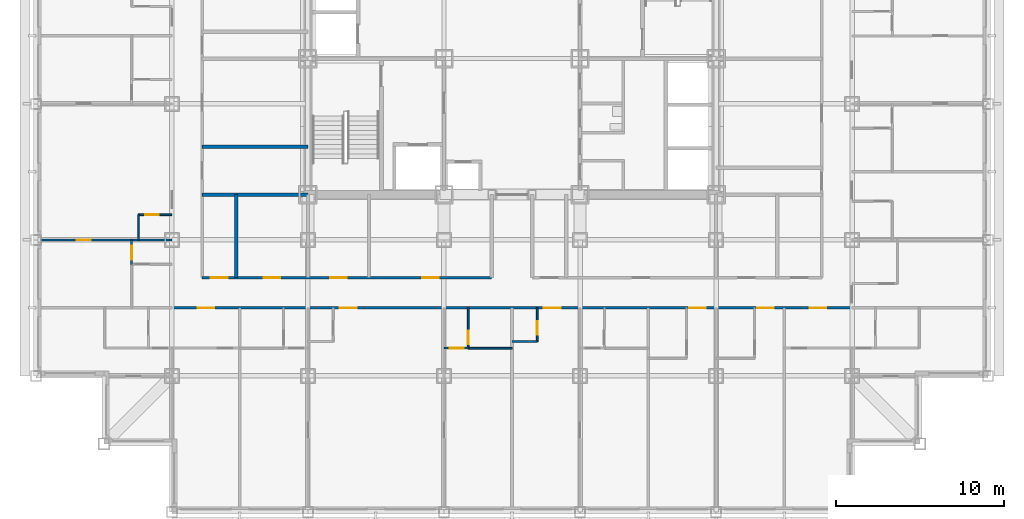
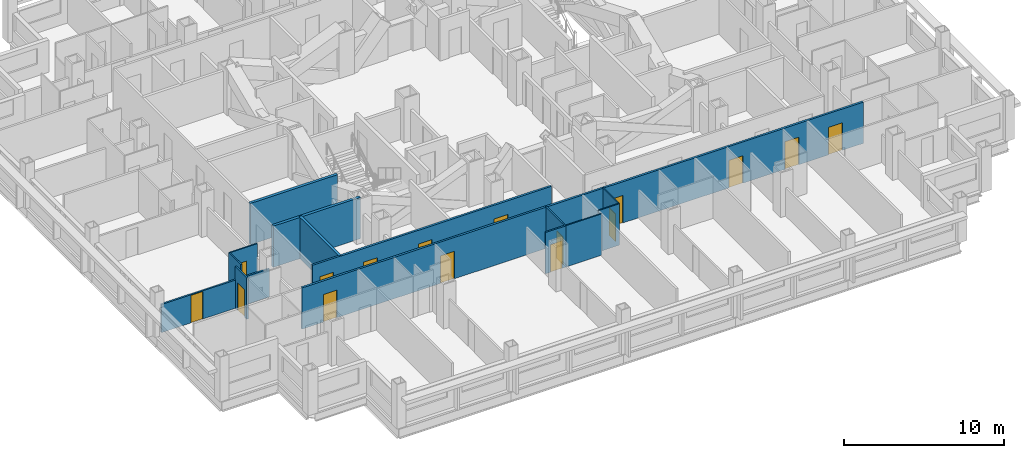
# One storey, part 5 of 15: 16 doors, 14 walls, 16 openings.
"""IFC4 building model written with IfcOpenShell, lengths in metres."""

from ifc_helpers import new_model, si_unit, direction, frame, frame_2d, origin, place, context, subcontext, project, spatial, rectangle, extrude, material, layer, layer_set, type_object, element, fill, save


model = new_model("IFC4")

# Units and contexts
model_context = context("Model", 3, precision=1e-05, world=origin(), true_north=direction((0.0, 1.0)))
body_context = subcontext(model_context, "Body", "Model", "MODEL_VIEW")
ifc_project = project(units=[si_unit("LENGTHUNIT", "METRE"), si_unit("AREAUNIT", "SQUARE_METRE"), si_unit("VOLUMEUNIT", "CUBIC_METRE"), si_unit("PLANEANGLEUNIT", "RADIAN"), si_unit("MASSUNIT", "GRAM", prefix="KILO")], contexts=[model_context])

# Site, building, storey
site_placement = place(None, origin())
site = spatial("IfcSite", under=ifc_project, at=site_placement, CompositionType="ELEMENT")
building_placement = place(site_placement, origin())
building = spatial("IfcBuilding", under=site, at=building_placement, Name="Kopane Lantern Tower", CompositionType="ELEMENT")
storey_placement = place(building_placement, frame((0.0, 0.0, 154.39990234375)))
storey = spatial("IfcBuildingStorey", under=building, at=storey_placement, Name="L40", CompositionType="ELEMENT", Elevation=154.39990234375)

# Wall, opening, door
ifc_material_1 = material(Name="Gypsum board on steel studs", Category="steel")
ifc_layer_1 = layer(ifc_material_1, 0.1201171875)
ifc_layer_set_1 = layer_set([ifc_layer_1], Name="APARTMENT INTERNAL WALL 120")
wall_type_1 = type_object("IfcWallType", Name="APARTMENT INTERNAL WALL 120", PredefinedType="PARTITIONING", material=ifc_layer_set_1)
wall_1_placement = place(storey_placement, frame((8.10009765625, 21.60009765625, 0.0), z_axis=(0.0, 0.0, 1.0), x_axis=(-1.0, 0.0, 0.0)))
wall_1 = element("IfcWall", 1, at=wall_1_placement, inside=storey, type_object=wall_type_1, Name="Apartment Internal Wall 120 L40", PredefinedType="PARTITIONING", context=body_context, shape_type="SweptSolid", body=[
    extrude(rectangle(XDim=7.800048828125, YDim=0.1201171875, at=frame_2d((3.89990234375, 0.0))), origin(), (0.0, 0.0, 1.0), 2.150146484375),
])
opening_1_placement = place(wall_1_placement, frame((4.824951171875, 0.0, 0.0)))
opening_1 = element("IfcOpeningElement", 2, at=opening_1_placement, cuts=wall_1, Name="Opening L40-054", PredefinedType="OPENING", context=body_context, shape_type="SweptSolid", body=[
    extrude(rectangle(XDim=0.85009765625, YDim=2.10009765625, at=frame_2d((0.425048828125, 1.050048828125))), frame((0.0, 0.070068359375, 0.0), z_axis=(0.0, -1.0, 0.0), x_axis=(1.0, 0.0, 0.0)), (0.0, 0.0, 1.0), 0.14013671875),
])
ifc_material_2 = material(Name="Timber door set", Category="wood")
door_type_1 = type_object("IfcDoorType", Name="DOOR D4 850x2100", OperationType="SINGLE_SWING_LEFT", PredefinedType="DOOR", material=ifc_material_2)
door_1_placement = place(opening_1_placement, origin())
door_1 = element("IfcDoor", 3, at=door_1_placement, inside=storey, type_object=door_type_1, Name="Door L40-054", OperationType="SINGLE_SWING_LEFT", OverallHeight=2.10009765625, OverallWidth=0.85009765625, PredefinedType="DOOR", context=body_context, shape_type="SweptSolid", body=[
    extrude(rectangle(XDim=0.85009765625, YDim=2.10009765625, at=frame_2d((0.425048828125, 1.050048828125))), frame((0.0, 0.02490234375, 0.0), z_axis=(0.0, -1.0, 0.0), x_axis=(1.0, 0.0, 0.0)), (0.0, 0.0, 1.0), 0.050048828125),
])
fill(opening_1, door_1)

wall_2_placement = place(storey_placement, frame((25.760009765625, 15.14990234375, 0.0), z_axis=(0.0, 0.0, 1.0), x_axis=(-1.0, 0.0, 0.0)))
wall_2 = element("IfcWall", 4, at=wall_2_placement, inside=storey, type_object=wall_type_1, Name="Apartment Internal Wall 120 L40", PredefinedType="PARTITIONING", context=body_context, shape_type="SweptSolid", body=[
    extrude(rectangle(XDim=1.4599609375, YDim=0.1201171875, at=frame_2d((0.72998046875, 0.0))), origin(), (0.0, 0.0, 1.0), 3.150146484375),
])
opening_2_placement = place(wall_2_placement, frame((0.27490234375, 0.0, 0.0)))
opening_2 = element("IfcOpeningElement", 5, at=opening_2_placement, cuts=wall_2, Name="Opening L40-093", PredefinedType="OPENING", context=body_context, shape_type="SweptSolid", body=[
    extrude(rectangle(XDim=0.85009765625, YDim=2.10009765625, at=frame_2d((0.425048828125, 1.050048828125))), frame((0.0, 0.070068359375, 0.0), z_axis=(0.0, -1.0, 0.0), x_axis=(1.0, 0.0, 0.0)), (0.0, 0.0, 1.0), 0.14013671875),
])
door_2_placement = place(opening_2_placement, origin())
door_2 = element("IfcDoor", 6, at=door_2_placement, inside=storey, type_object=door_type_1, Name="Door L40-093", OperationType="SINGLE_SWING_RIGHT", OverallHeight=2.10009765625, OverallWidth=0.85009765625, PredefinedType="DOOR", context=body_context, shape_type="SweptSolid", body=[
    extrude(rectangle(XDim=0.85009765625, YDim=2.10009765625, at=frame_2d((0.425048828125, 1.050048828125))), frame((0.0, 0.02490234375, 0.0), z_axis=(0.0, -1.0, 0.0), x_axis=(1.0, 0.0, 0.0)), (0.0, 0.0, 1.0), 0.050048828125),
])
fill(opening_2, door_2)

wall_3_placement = place(storey_placement, frame((5.699951171875, 20.139892578125, 0.0), z_axis=(0.0, 0.0, 1.0), x_axis=(0.0, 1.0, 0.0)))
wall_3 = element("IfcWall", 7, at=wall_3_placement, inside=storey, type_object=wall_type_1, Name="Apartment Internal Wall 120 L40", PredefinedType="PARTITIONING", context=body_context, shape_type="SweptSolid", body=[
    extrude(rectangle(XDim=1.460205078125, YDim=0.1201171875, at=frame_2d((0.72998046875, 0.0))), origin(), (0.0, 0.0, 1.0), 3.150146484375),
])
opening_3_placement = place(wall_3_placement, frame((0.27490234375, 0.0, 0.0)))
opening_3 = element("IfcOpeningElement", 8, at=opening_3_placement, cuts=wall_3, Name="Opening L40-099", PredefinedType="OPENING", context=body_context, shape_type="SweptSolid", body=[
    extrude(rectangle(XDim=0.85009765625, YDim=2.10009765625, at=frame_2d((0.425048828125, 1.050048828125))), frame((0.0, 0.070068359375, 0.0), z_axis=(0.0, -1.0, 0.0), x_axis=(1.0, 0.0, 0.0)), (0.0, 0.0, 1.0), 0.14013671875),
])
door_3_placement = place(opening_3_placement, origin())
door_3 = element("IfcDoor", 9, at=door_3_placement, inside=storey, type_object=door_type_1, Name="Door L40-099", OperationType="SINGLE_SWING_RIGHT", OverallHeight=2.10009765625, OverallWidth=0.85009765625, PredefinedType="DOOR", context=body_context, shape_type="SweptSolid", body=[
    extrude(rectangle(XDim=0.85009765625, YDim=2.10009765625, at=frame_2d((0.425048828125, 1.050048828125))), frame((0.0, 0.02490234375, 0.0), z_axis=(0.0, -1.0, 0.0), x_axis=(1.0, 0.0, 0.0)), (0.0, 0.0, 1.0), 0.050048828125),
])
fill(opening_3, door_3)

# Wall
ifc_material_3 = material(Name="Moisture-resistant board on steel studs", Category="steel")
ifc_layer_2 = layer(ifc_material_3, 0.10009765625)
ifc_layer_set_2 = layer_set([ifc_layer_2], Name="BATHROOM WALL 100")
wall_type_2 = type_object("IfcWallType", Name="BATHROOM WALL 100", PredefinedType="PARTITIONING", material=ifc_layer_set_2)
wall_4_placement = place(storey_placement, frame((25.75, 15.14990234375, 0.0), z_axis=(0.0, 0.0, 1.0), x_axis=(1.0, 0.0, 0.0)))
element("IfcWall", 10, at=wall_4_placement, inside=storey, type_object=wall_type_2, Name="Bathroom Wall 100 L40", PredefinedType="PARTITIONING", context=body_context, shape_type="SweptSolid", body=[
    extrude(rectangle(XDim=2.60009765625, YDim=0.10009765625, at=frame_2d((1.300048828125, 0.0))), origin(), (0.0, 0.0, 1.0), 3.150146484375),
])

# Wall, opening, door
wall_5_placement = place(storey_placement, frame((25.75, 17.550048828125, 0.0), z_axis=(0.0, 0.0, 1.0), x_axis=(0.0, -1.0, 0.0)))
wall_5 = element("IfcWall", 11, at=wall_5_placement, inside=storey, type_object=wall_type_2, Name="Bathroom Wall 100 L40", PredefinedType="PARTITIONING", context=body_context, shape_type="SweptSolid", body=[
    extrude(rectangle(XDim=2.400146484375, YDim=0.10009765625, at=frame_2d((1.2001953125, 0.0))), origin(), (0.0, 0.0, 1.0), 3.150146484375),
])
opening_4_placement = place(wall_5_placement, frame((1.35009765625, 0.0, 0.0)))
opening_4 = element("IfcOpeningElement", 12, at=opening_4_placement, cuts=wall_5, Name="Opening L40-027", PredefinedType="OPENING", context=body_context, shape_type="SweptSolid", body=[
    extrude(rectangle(XDim=0.800048828125, YDim=2.10009765625, at=frame_2d((0.39990234375, 1.050048828125))), frame((0.0, 0.06005859375, 0.0), z_axis=(0.0, -1.0, 0.0), x_axis=(1.0, 0.0, 0.0)), (0.0, 0.0, 1.0), 0.1201171875),
])
ifc_material_4 = material(Name="Timber door set", Category="wood")
door_type_2 = type_object("IfcDoorType", Name="DOOR D2 800x2100", OperationType="SINGLE_SWING_LEFT", PredefinedType="DOOR", material=ifc_material_4)
door_4_placement = place(opening_4_placement, origin())
door_4 = element("IfcDoor", 13, at=door_4_placement, inside=storey, type_object=door_type_2, Name="Door L40-027", OperationType="SINGLE_SWING_LEFT", OverallHeight=2.10009765625, OverallWidth=0.800048828125, PredefinedType="DOOR", context=body_context, shape_type="SweptSolid", body=[
    extrude(rectangle(XDim=0.800048828125, YDim=2.10009765625, at=frame_2d((0.39990234375, 1.050048828125))), frame((0.0, 0.02490234375, 0.0), z_axis=(0.0, -1.0, 0.0), x_axis=(1.0, 0.0, 0.0)), (0.0, 0.0, 1.0), 0.050048828125),
])
fill(opening_4, door_4)

# Wall
wall_6_placement = place(storey_placement, frame((28.35009765625, 15.550048828125, 0.0), z_axis=(0.0, 0.0, 1.0), x_axis=(1.0, 0.0, 0.0)))
element("IfcWall", 14, at=wall_6_placement, inside=storey, type_object=wall_type_2, Name="Bathroom Wall 100 L40", PredefinedType="PARTITIONING", context=body_context, shape_type="SweptSolid", body=[
    extrude(rectangle(XDim=1.5, YDim=0.10009765625, at=frame_2d((0.75, 0.0))), origin(), (0.0, 0.0, 1.0), 3.150146484375),
])

# Wall, opening, door
wall_7_placement = place(storey_placement, frame((29.85009765625, 17.550048828125, 0.0), z_axis=(0.0, 0.0, 1.0), x_axis=(0.0, -1.0, 0.0)))
wall_7 = element("IfcWall", 15, at=wall_7_placement, inside=storey, type_object=wall_type_2, Name="Bathroom Wall 100 L40", PredefinedType="PARTITIONING", context=body_context, shape_type="SweptSolid", body=[
    extrude(rectangle(XDim=2.0, YDim=0.10009765625, at=frame_2d((1.0, 0.0))), origin(), (0.0, 0.0, 1.0), 3.150146484375),
])
opening_5_placement = place(wall_7_placement, frame((0.800048828125, 0.0, 0.0)))
opening_5 = element("IfcOpeningElement", 16, at=opening_5_placement, cuts=wall_7, Name="Opening L40-029", PredefinedType="OPENING", context=body_context, shape_type="SweptSolid", body=[
    extrude(rectangle(XDim=0.800048828125, YDim=2.10009765625, at=frame_2d((0.39990234375, 1.050048828125))), frame((0.0, 0.06005859375, 0.0), z_axis=(0.0, -1.0, 0.0), x_axis=(1.0, 0.0, 0.0)), (0.0, 0.0, 1.0), 0.1201171875),
])
door_5_placement = place(opening_5_placement, origin())
door_5 = element("IfcDoor", 17, at=door_5_placement, inside=storey, type_object=door_type_2, Name="Door L40-029", OperationType="SINGLE_SWING_LEFT", OverallHeight=2.10009765625, OverallWidth=0.800048828125, PredefinedType="DOOR", context=body_context, shape_type="SweptSolid", body=[
    extrude(rectangle(XDim=0.800048828125, YDim=2.10009765625, at=frame_2d((0.39990234375, 1.050048828125))), frame((0.0, 0.02490234375, 0.0), z_axis=(0.0, -1.0, 0.0), x_axis=(1.0, 0.0, 0.0)), (0.0, 0.0, 1.0), 0.050048828125),
])
fill(opening_5, door_5)

# Wall
wall_8_placement = place(storey_placement, frame((6.10009765625, 21.60009765625, 0.0), z_axis=(0.0, 0.0, 1.0), x_axis=(0.0, 1.0, 0.0)))
element("IfcWall", 18, at=wall_8_placement, inside=storey, type_object=wall_type_2, Name="Bathroom Wall 100 L40", PredefinedType="PARTITIONING", context=body_context, shape_type="SweptSolid", body=[
    extrude(rectangle(XDim=1.5, YDim=0.10009765625, at=frame_2d((0.75, 0.0))), origin(), (0.0, 0.0, 1.0), 3.150146484375),
])

# Wall, opening, door
wall_9_placement = place(storey_placement, frame((8.10009765625, 23.10009765625, 0.0), z_axis=(0.0, 0.0, 1.0), x_axis=(-1.0, 0.0, 0.0)))
wall_9 = element("IfcWall", 19, at=wall_9_placement, inside=storey, type_object=wall_type_2, Name="Bathroom Wall 100 L40", PredefinedType="PARTITIONING", context=body_context, shape_type="SweptSolid", body=[
    extrude(rectangle(XDim=2.0, YDim=0.10009765625, at=frame_2d((1.0, 0.0))), origin(), (0.0, 0.0, 1.0), 3.150146484375),
])
opening_6_placement = place(wall_9_placement, frame((0.800048828125, 0.0, 0.0)))
opening_6 = element("IfcOpeningElement", 20, at=opening_6_placement, cuts=wall_9, Name="Opening L40-051", PredefinedType="OPENING", context=body_context, shape_type="SweptSolid", body=[
    extrude(rectangle(XDim=0.800048828125, YDim=2.10009765625, at=frame_2d((0.39990234375, 1.050048828125))), frame((0.0, 0.06005859375, 0.0), z_axis=(0.0, -1.0, 0.0), x_axis=(1.0, 0.0, 0.0)), (0.0, 0.0, 1.0), 0.1201171875),
])
door_6_placement = place(opening_6_placement, origin())
door_6 = element("IfcDoor", 21, at=door_6_placement, inside=storey, type_object=door_type_2, Name="Door L40-051", OperationType="SINGLE_SWING_RIGHT", OverallHeight=2.10009765625, OverallWidth=0.800048828125, PredefinedType="DOOR", context=body_context, shape_type="SweptSolid", body=[
    extrude(rectangle(XDim=0.800048828125, YDim=2.10009765625, at=frame_2d((0.39990234375, 1.050048828125))), frame((0.0, 0.02490234375, 0.0), z_axis=(0.0, -1.0, 0.0), x_axis=(1.0, 0.0, 0.0)), (0.0, 0.0, 1.0), 0.050048828125),
])
fill(opening_6, door_6)

# Wall, openings, doors
ifc_material_5 = material(Name="Gypsum board on steel studs", Category="steel")
ifc_layer_3 = layer(ifc_material_5, 0.14990234375)
ifc_layer_set_3 = layer_set([ifc_layer_3], Name="CORRIDOR WALL 150 EI 60")
wall_type_3 = type_object("IfcWallType", Name="CORRIDOR WALL 150 EI 60", PredefinedType="PARTITIONING", material=ifc_layer_set_3)
wall_10_placement = place(storey_placement, frame((8.10009765625, 17.550048828125, 0.0), z_axis=(0.0, 0.0, 1.0), x_axis=(1.0, 0.0, 0.0)))
wall_10 = element("IfcWall", 22, at=wall_10_placement, inside=storey, type_object=wall_type_3, Name="Corridor Wall 150 Ei 60 L40", PredefinedType="PARTITIONING", context=body_context, shape_type="SweptSolid", body=[
    extrude(rectangle(XDim=40.5, YDim=0.14990234375, at=frame_2d((20.25, 0.0))), origin(), (0.0, 0.0, 1.0), 3.150146484375),
])
opening_7_placement = place(wall_10_placement, frame((10.0, 0.0, 0.0)))
opening_7 = element("IfcOpeningElement", 23, at=opening_7_placement, cuts=wall_10, Name="Opening L40-024", PredefinedType="OPENING", context=body_context, shape_type="SweptSolid", body=[
    extrude(rectangle(XDim=1.0, YDim=2.10009765625, at=frame_2d((0.5, 1.050048828125))), frame((0.0, 0.0849609375, 0.0), z_axis=(0.0, -1.0, 0.0), x_axis=(1.0, 0.0, 0.0)), (0.0, 0.0, 1.0), 0.169921875),
])
opening_8_placement = place(wall_10_placement, frame((22.14990234375, 0.0, 0.0)))
opening_8 = element("IfcOpeningElement", 24, at=opening_8_placement, cuts=wall_10, Name="Opening L40-030", PredefinedType="OPENING", context=body_context, shape_type="SweptSolid", body=[
    extrude(rectangle(XDim=1.0, YDim=2.10009765625, at=frame_2d((0.5, 1.050048828125))), frame((0.0, 0.0849609375, 0.0), z_axis=(0.0, -1.0, 0.0), x_axis=(1.0, 0.0, 0.0)), (0.0, 0.0, 1.0), 0.169921875),
])
opening_9_placement = place(wall_10_placement, frame((30.800048828125, 0.0, 0.0)))
opening_9 = element("IfcOpeningElement", 25, at=opening_9_placement, cuts=wall_10, Name="Opening L40-034", PredefinedType="OPENING", context=body_context, shape_type="SweptSolid", body=[
    extrude(rectangle(XDim=1.0, YDim=2.10009765625, at=frame_2d((0.5, 1.050048828125))), frame((0.0, 0.0849609375, 0.0), z_axis=(0.0, -1.0, 0.0), x_axis=(1.0, 0.0, 0.0)), (0.0, 0.0, 1.0), 0.169921875),
])
opening_10_placement = place(wall_10_placement, frame((34.85009765625, 0.0, 0.0)))
opening_10 = element("IfcOpeningElement", 26, at=opening_10_placement, cuts=wall_10, Name="Opening L40-036", PredefinedType="OPENING", context=body_context, shape_type="SweptSolid", body=[
    extrude(rectangle(XDim=1.0, YDim=2.10009765625, at=frame_2d((0.5, 1.050048828125))), frame((0.0, 0.0849609375, 0.0), z_axis=(0.0, -1.0, 0.0), x_axis=(1.0, 0.0, 0.0)), (0.0, 0.0, 1.0), 0.169921875),
])
opening_11_placement = place(wall_10_placement, frame((1.52490234375, 0.0, 0.0)))
opening_11 = element("IfcOpeningElement", 27, at=opening_11_placement, cuts=wall_10, Name="Opening L40-076", PredefinedType="OPENING", context=body_context, shape_type="SweptSolid", body=[
    extrude(rectangle(XDim=1.0, YDim=2.10009765625, at=frame_2d((0.5, 1.050048828125))), frame((0.0, 0.0849609375, 0.0), z_axis=(0.0, -1.0, 0.0), x_axis=(1.0, 0.0, 0.0)), (0.0, 0.0, 1.0), 0.169921875),
])
opening_12_placement = place(wall_10_placement, frame((37.97509765625, 0.0, 0.0)))
opening_12 = element("IfcOpeningElement", 28, at=opening_12_placement, cuts=wall_10, Name="Opening L40-081", PredefinedType="OPENING", context=body_context, shape_type="SweptSolid", body=[
    extrude(rectangle(XDim=1.0, YDim=2.10009765625, at=frame_2d((0.5, 1.050048828125))), frame((0.0, 0.0849609375, 0.0), z_axis=(0.0, -1.0, 0.0), x_axis=(1.0, 0.0, 0.0)), (0.0, 0.0, 1.0), 0.169921875),
])
ifc_material_6 = material(Name="Steel door set", Category="steel")
door_type_3 = type_object("IfcDoorType", Name="DOOR D1 1000x2100 FD30S", OperationType="SINGLE_SWING_LEFT", PredefinedType="DOOR", material=ifc_material_6)
door_7_placement = place(opening_7_placement, origin())
door_7 = element("IfcDoor", 29, at=door_7_placement, inside=storey, type_object=door_type_3, Name="Door L40-024", OperationType="SINGLE_SWING_RIGHT", OverallHeight=2.10009765625, OverallWidth=1.0, PredefinedType="DOOR", context=body_context, shape_type="SweptSolid", body=[
    extrude(rectangle(XDim=1.0, YDim=2.10009765625, at=frame_2d((0.5, 1.050048828125))), frame((0.0, 0.02490234375, 0.0), z_axis=(0.0, -1.0, 0.0), x_axis=(1.0, 0.0, 0.0)), (0.0, 0.0, 1.0), 0.050048828125),
])
fill(opening_7, door_7)
door_8_placement = place(opening_8_placement, origin())
door_8 = element("IfcDoor", 30, at=door_8_placement, inside=storey, type_object=door_type_3, Name="Door L40-030", OperationType="SINGLE_SWING_RIGHT", OverallHeight=2.10009765625, OverallWidth=1.0, PredefinedType="DOOR", context=body_context, shape_type="SweptSolid", body=[
    extrude(rectangle(XDim=1.0, YDim=2.10009765625, at=frame_2d((0.5, 1.050048828125))), frame((0.0, 0.02490234375, 0.0), z_axis=(0.0, -1.0, 0.0), x_axis=(1.0, 0.0, 0.0)), (0.0, 0.0, 1.0), 0.050048828125),
])
fill(opening_8, door_8)
door_9_placement = place(opening_9_placement, origin())
door_9 = element("IfcDoor", 31, at=door_9_placement, inside=storey, type_object=door_type_3, Name="Door L40-034", OperationType="SINGLE_SWING_RIGHT", OverallHeight=2.10009765625, OverallWidth=1.0, PredefinedType="DOOR", context=body_context, shape_type="SweptSolid", body=[
    extrude(rectangle(XDim=1.0, YDim=2.10009765625, at=frame_2d((0.5, 1.050048828125))), frame((0.0, 0.02490234375, 0.0), z_axis=(0.0, -1.0, 0.0), x_axis=(1.0, 0.0, 0.0)), (0.0, 0.0, 1.0), 0.050048828125),
])
fill(opening_9, door_9)
door_10_placement = place(opening_10_placement, origin())
door_10 = element("IfcDoor", 32, at=door_10_placement, inside=storey, type_object=door_type_3, Name="Door L40-036", OperationType="SINGLE_SWING_RIGHT", OverallHeight=2.10009765625, OverallWidth=1.0, PredefinedType="DOOR", context=body_context, shape_type="SweptSolid", body=[
    extrude(rectangle(XDim=1.0, YDim=2.10009765625, at=frame_2d((0.5, 1.050048828125))), frame((0.0, 0.02490234375, 0.0), z_axis=(0.0, -1.0, 0.0), x_axis=(1.0, 0.0, 0.0)), (0.0, 0.0, 1.0), 0.050048828125),
])
fill(opening_10, door_10)
door_11_placement = place(opening_11_placement, origin())
door_11 = element("IfcDoor", 33, at=door_11_placement, inside=storey, type_object=door_type_3, Name="Door L40-076", OperationType="SINGLE_SWING_LEFT", OverallHeight=2.10009765625, OverallWidth=1.0, PredefinedType="DOOR", context=body_context, shape_type="SweptSolid", body=[
    extrude(rectangle(XDim=1.0, YDim=2.10009765625, at=frame_2d((0.5, 1.050048828125))), frame((0.0, 0.02490234375, 0.0), z_axis=(0.0, -1.0, 0.0), x_axis=(1.0, 0.0, 0.0)), (0.0, 0.0, 1.0), 0.050048828125),
])
fill(opening_11, door_11)
door_12_placement = place(opening_12_placement, origin())
door_12 = element("IfcDoor", 34, at=door_12_placement, inside=storey, type_object=door_type_3, Name="Door L40-081", OperationType="SINGLE_SWING_RIGHT", OverallHeight=2.10009765625, OverallWidth=1.0, PredefinedType="DOOR", context=body_context, shape_type="SweptSolid", body=[
    extrude(rectangle(XDim=1.0, YDim=2.10009765625, at=frame_2d((0.5, 1.050048828125))), frame((0.0, 0.02490234375, 0.0), z_axis=(0.0, -1.0, 0.0), x_axis=(1.0, 0.0, 0.0)), (0.0, 0.0, 1.0), 0.050048828125),
])
fill(opening_12, door_12)

wall_11_placement = place(storey_placement, frame((9.89990234375, 19.35009765625, 0.0), z_axis=(0.0, 0.0, 1.0), x_axis=(1.0, 0.0, 0.0)))
wall_11 = element("IfcWall", 35, at=wall_11_placement, inside=storey, type_object=wall_type_3, Name="Corridor Wall 150 Ei 60 L40", PredefinedType="PARTITIONING", context=body_context, shape_type="SweptSolid", body=[
    extrude(rectangle(XDim=17.239990234375, YDim=0.14990234375, at=frame_2d((8.6201171875, 0.0))), origin(), (0.0, 0.0, 1.0), 3.150146484375),
])
opening_13_placement = place(wall_11_placement, frame((0.510009765625, 0.0, 0.0)))
opening_13 = element("IfcOpeningElement", 36, at=opening_13_placement, cuts=wall_11, Name="Opening L40-008", PredefinedType="OPENING", context=body_context, shape_type="SweptSolid", body=[
    extrude(rectangle(XDim=1.0, YDim=2.10009765625, at=frame_2d((0.5, 1.050048828125))), frame((0.0, 0.0849609375, 0.0), z_axis=(0.0, -1.0, 0.0), x_axis=(1.0, 0.0, 0.0)), (0.0, 0.0, 1.0), 0.169921875),
])
opening_14_placement = place(wall_11_placement, frame((3.66015625, 0.0, 0.0)))
opening_14 = element("IfcOpeningElement", 37, at=opening_14_placement, cuts=wall_11, Name="Opening L40-009", PredefinedType="OPENING", context=body_context, shape_type="SweptSolid", body=[
    extrude(rectangle(XDim=1.0, YDim=2.10009765625, at=frame_2d((0.5, 1.050048828125))), frame((0.0, 0.0849609375, 0.0), z_axis=(0.0, -1.0, 0.0), x_axis=(1.0, 0.0, 0.0)), (0.0, 0.0, 1.0), 0.169921875),
])
opening_15_placement = place(wall_11_placement, frame((7.6181640625, 0.0, 0.0)))
opening_15 = element("IfcOpeningElement", 38, at=opening_15_placement, cuts=wall_11, Name="Opening L40-010", PredefinedType="OPENING", context=body_context, shape_type="SweptSolid", body=[
    extrude(rectangle(XDim=1.0, YDim=2.10009765625, at=frame_2d((0.5, 1.050048828125))), frame((0.0, 0.0849609375, 0.0), z_axis=(0.0, -1.0, 0.0), x_axis=(1.0, 0.0, 0.0)), (0.0, 0.0, 1.0), 0.169921875),
])
opening_16_placement = place(wall_11_placement, frame((13.09326171875, 0.0, 0.0)))
opening_16 = element("IfcOpeningElement", 39, at=opening_16_placement, cuts=wall_11, Name="Opening L40-011", PredefinedType="OPENING", context=body_context, shape_type="SweptSolid", body=[
    extrude(rectangle(XDim=1.0, YDim=2.10009765625, at=frame_2d((0.5, 1.050048828125))), frame((0.0, 0.0849609375, 0.0), z_axis=(0.0, -1.0, 0.0), x_axis=(1.0, 0.0, 0.0)), (0.0, 0.0, 1.0), 0.169921875),
])
ifc_material_7 = material(Name="Steel door set", Category="steel")
door_type_4 = type_object("IfcDoorType", Name="DOOR D5 1000x2100 FD60", OperationType="SINGLE_SWING_LEFT", PredefinedType="DOOR", material=ifc_material_7)
door_13_placement = place(opening_13_placement, origin())
door_13 = element("IfcDoor", 40, at=door_13_placement, inside=storey, type_object=door_type_4, Name="Door L40-008", OperationType="SINGLE_SWING_LEFT", OverallHeight=2.10009765625, OverallWidth=1.0, PredefinedType="DOOR", context=body_context, shape_type="SweptSolid", body=[
    extrude(rectangle(XDim=1.0, YDim=2.10009765625, at=frame_2d((0.5, 1.050048828125))), frame((0.0, 0.02490234375, 0.0), z_axis=(0.0, -1.0, 0.0), x_axis=(1.0, 0.0, 0.0)), (0.0, 0.0, 1.0), 0.050048828125),
])
fill(opening_13, door_13)
door_14_placement = place(opening_14_placement, origin())
door_14 = element("IfcDoor", 41, at=door_14_placement, inside=storey, type_object=door_type_4, Name="Door L40-009", OperationType="SINGLE_SWING_RIGHT", OverallHeight=2.10009765625, OverallWidth=1.0, PredefinedType="DOOR", context=body_context, shape_type="SweptSolid", body=[
    extrude(rectangle(XDim=1.0, YDim=2.10009765625, at=frame_2d((0.5, 1.050048828125))), frame((0.0, 0.02490234375, 0.0), z_axis=(0.0, -1.0, 0.0), x_axis=(1.0, 0.0, 0.0)), (0.0, 0.0, 1.0), 0.050048828125),
])
fill(opening_14, door_14)
door_15_placement = place(opening_15_placement, origin())
door_15 = element("IfcDoor", 42, at=door_15_placement, inside=storey, type_object=door_type_4, Name="Door L40-010", OperationType="SINGLE_SWING_LEFT", OverallHeight=2.10009765625, OverallWidth=1.0, PredefinedType="DOOR", context=body_context, shape_type="SweptSolid", body=[
    extrude(rectangle(XDim=1.0, YDim=2.10009765625, at=frame_2d((0.5, 1.050048828125))), frame((0.0, 0.02490234375, 0.0), z_axis=(0.0, -1.0, 0.0), x_axis=(1.0, 0.0, 0.0)), (0.0, 0.0, 1.0), 0.050048828125),
])
fill(opening_15, door_15)
door_16_placement = place(opening_16_placement, origin())
door_16 = element("IfcDoor", 43, at=door_16_placement, inside=storey, type_object=door_type_4, Name="Door L40-011", OperationType="SINGLE_SWING_RIGHT", OverallHeight=2.10009765625, OverallWidth=1.0, PredefinedType="DOOR", context=body_context, shape_type="SweptSolid", body=[
    extrude(rectangle(XDim=1.0, YDim=2.10009765625, at=frame_2d((0.5, 1.050048828125))), frame((0.0, 0.02490234375, 0.0), z_axis=(0.0, -1.0, 0.0), x_axis=(1.0, 0.0, 0.0)), (0.0, 0.0, 1.0), 0.050048828125),
])
fill(opening_16, door_16)

# Walls
ifc_material_8 = material(Name="Concrete masonry", Category="masonry")
ifc_layer_4 = layer(ifc_material_8, 0.199951171875)
ifc_layer_set_4 = layer_set([ifc_layer_4], Name="PLANT ROOM WALL 200 EI 120")
wall_type_4 = type_object("IfcWallType", Name="PLANT ROOM WALL 200 EI 120", PredefinedType="SOLIDWALL", material=ifc_layer_set_4)
wall_12_placement = place(storey_placement, frame((9.89990234375, 27.156982421875, 0.0), z_axis=(0.0, 0.0, 1.0), x_axis=(1.0, 0.0, 0.0)))
element("IfcWall", 44, at=wall_12_placement, inside=storey, type_object=wall_type_4, Name="Plant Room Wall 200 Ei 120 L40", PredefinedType="SOLIDWALL", context=body_context, shape_type="SweptSolid", body=[
    extrude(rectangle(XDim=6.300048828125, YDim=0.199951171875, at=frame_2d((3.14990234375, 0.0))), origin(), (0.0, 0.0, 1.0), 3.150146484375),
])
wall_13_placement = place(storey_placement, frame((11.920166015625, 19.35009765625, 0.0), z_axis=(0.0, 0.0, 1.0), x_axis=(0.0, 1.0, 0.0)))
element("IfcWall", 45, at=wall_13_placement, inside=storey, type_object=wall_type_4, Name="Plant Room Wall 200 Ei 120 L40", PredefinedType="SOLIDWALL", context=body_context, shape_type="SweptSolid", body=[
    extrude(rectangle(XDim=4.949951171875, YDim=0.199951171875, at=frame_2d((2.47509765625, 0.0))), origin(), (0.0, 0.0, 1.0), 3.150146484375),
])
wall_14_placement = place(storey_placement, frame((9.89990234375, 24.300048828125, 0.0), z_axis=(0.0, 0.0, 1.0), x_axis=(1.0, 0.0, 0.0)))
element("IfcWall", 46, at=wall_14_placement, inside=storey, type_object=wall_type_4, Name="Plant Room Wall 200 Ei 120 L40", PredefinedType="SOLIDWALL", context=body_context, shape_type="SweptSolid", body=[
    extrude(rectangle(XDim=6.300048828125, YDim=0.199951171875, at=frame_2d((3.14990234375, 0.0))), origin(), (0.0, 0.0, 1.0), 3.150146484375),
])

save(model, "model.ifc")
